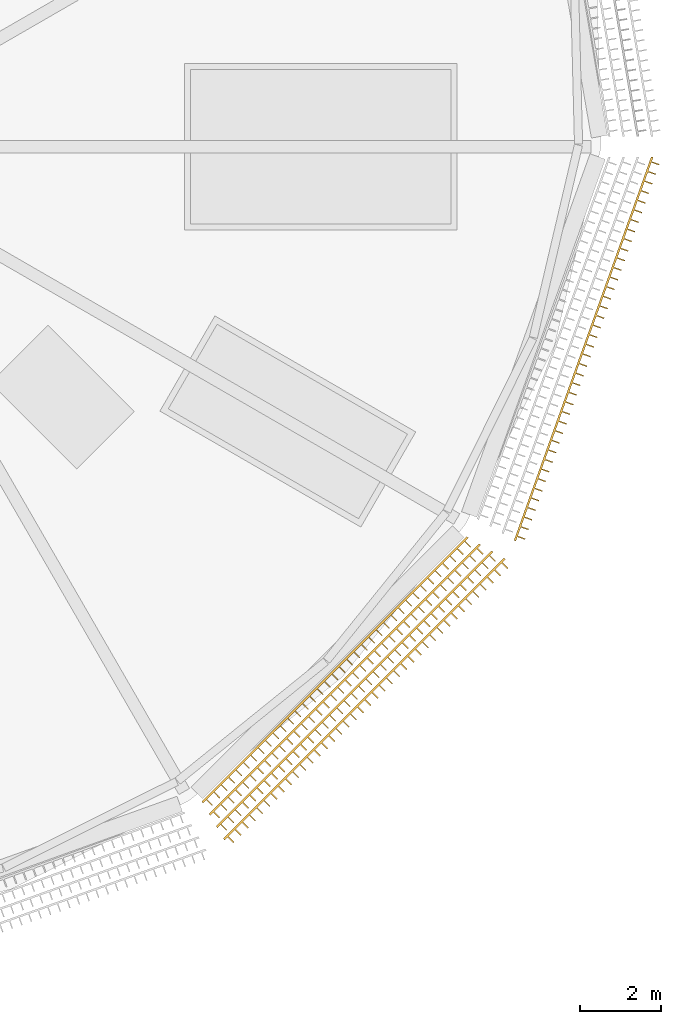
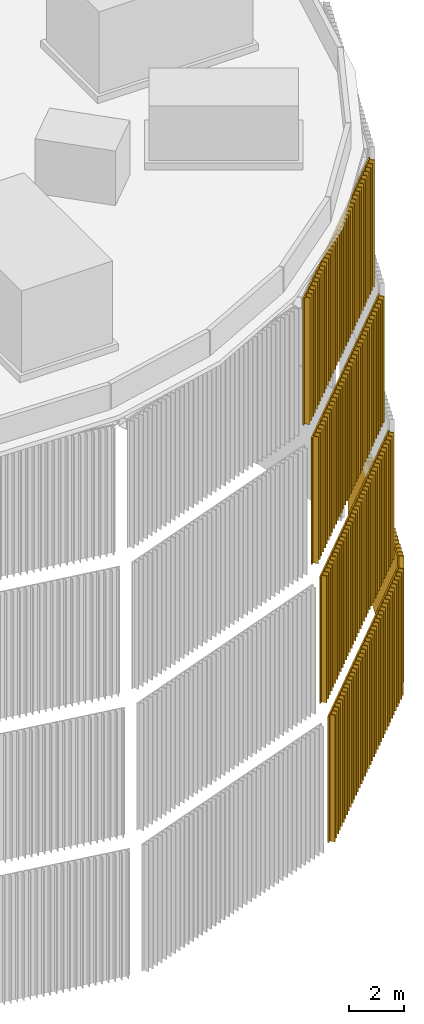
# One storey, part 17 of 24: 5 coverings.
"""IFC4 building model written with IfcOpenShell, lengths in metres."""

from ifc_helpers import new_model, si_unit, direction, frame, origin, place, context, subcontext, project, spatial, polyline, outline, extrude, material, type_object, element, save


model = new_model("IFC4")

# Units and contexts
model_context = context("Model", 3, precision=1e-05, world=origin(), true_north=direction((0.0, 1.0)))
body_context = subcontext(model_context, "Body", "Model", "MODEL_VIEW")
ifc_project = project(units=[si_unit("LENGTHUNIT", "METRE"), si_unit("AREAUNIT", "SQUARE_METRE"), si_unit("VOLUMEUNIT", "CUBIC_METRE"), si_unit("PLANEANGLEUNIT", "RADIAN"), si_unit("MASSUNIT", "GRAM", prefix="KILO")], contexts=[model_context])

# Site, building, storey
site_placement = place(None, origin())
site = spatial("IfcSite", under=ifc_project, at=site_placement, CompositionType="ELEMENT")
building_placement = place(site_placement, origin())
building = spatial("IfcBuilding", under=site, at=building_placement, Name="Rimbun Link Towers", CompositionType="ELEMENT")
storey_placement = place(building_placement, frame((0.0, 0.0, 294.89990234375)))
storey = spatial("IfcBuildingStorey", under=building, at=storey_placement, Name="Roof cap", CompositionType="ELEMENT", Elevation=294.89990234375)

# Coverings
ifc_material = material(Name="Terracotta", Category="masonry")
covering_type = type_object("IfcCoveringType", Name="TERRACOTTA CLADDING screen fins", PredefinedType="CLADDING", material=ifc_material)
covering_1_placement = place(storey_placement, frame((0.0, 0.0, -23.087890625)))
element("IfcCovering", 1, at=covering_1_placement, inside=storey, type_object=covering_type, Name="TERRACOTTA CLADDING screen", PredefinedType="CLADDING", context=body_context, shape_type="SweptSolid", body=[
    extrude(outline(polyline([(41.88134765625, -17.0400390625), (41.959228515625, -16.9619140625), (42.1005859375, -17.103515625), (42.1220703125, -17.082275390625), (41.98046875, -16.94091796875), (42.136474609375, -16.784912109375), (42.27783203125, -16.92626953125), (42.299072265625, -16.905029296875), (42.15771484375, -16.763671875), (42.313720703125, -16.607666015625), (42.455078125, -16.7490234375), (42.476318359375, -16.727783203125), (42.334716796875, -16.58642578125), (42.49072265625, -16.4306640625), (42.632080078125, -16.572021484375), (42.6533203125, -16.55078125), (42.511962890625, -16.409423828125), (42.66796875, -16.25341796875), (42.809326171875, -16.39501953125), (42.83056640625, -16.37353515625), (42.689208984375, -16.232177734375), (42.844970703125, -16.076416015625), (42.986572265625, -16.2177734375), (43.0078125, -16.196533203125), (42.8662109375, -16.05517578125), (43.022216796875, -15.899169921875), (43.16357421875, -16.04052734375), (43.184814453125, -16.019287109375), (43.04345703125, -15.8779296875), (43.19921875, -15.721923828125), (43.3408203125, -15.86328125), (43.362060546875, -15.84228515625), (43.220458984375, -15.70068359375), (43.37646484375, -15.544921875), (43.517822265625, -15.686279296875), (43.5390625, -15.6650390625), (43.397705078125, -15.523681640625), (43.5537109375, -15.36767578125), (43.695068359375, -15.509033203125), (43.71630859375, -15.48779296875), (43.57470703125, -15.346435546875), (43.730712890625, -15.190673828125), (43.872314453125, -15.33203125), (43.893310546875, -15.310791015625), (43.751953125, -15.16943359375), (43.907958984375, -15.013427734375), (44.04931640625, -15.15478515625), (44.070556640625, -15.133544921875), (43.92919921875, -14.9921875), (44.0849609375, -14.836181640625), (44.2265625, -14.977783203125), (44.247802734375, -14.95654296875), (44.106201171875, -14.815185546875), (44.26220703125, -14.6591796875), (44.403564453125, -14.800537109375), (44.4248046875, -14.779296875), (44.283447265625, -14.637939453125), (44.439208984375, -14.48193359375), (44.580810546875, -14.623291015625), (44.60205078125, -14.602294921875), (44.460693359375, -14.460693359375), (44.616455078125, -14.3046875), (44.7578125, -14.4462890625), (44.779052734375, -14.425048828125), (44.6376953125, -14.28369140625), (44.793701171875, -14.127685546875), (44.93505859375, -14.26904296875), (44.956298828125, -14.247802734375), (44.814697265625, -14.1064453125), (44.970703125, -13.95068359375), (45.1123046875, -14.092041015625), (45.13330078125, -14.07080078125), (44.991943359375, -13.92919921875), (45.14794921875, -13.7734375), (45.289306640625, -13.914794921875), (45.310546875, -13.8935546875), (45.169189453125, -13.752197265625), (45.3251953125, -13.59619140625), (45.466552734375, -13.73779296875), (45.48779296875, -13.716552734375), (45.34619140625, -13.5751953125), (45.502197265625, -13.419189453125), (45.6435546875, -13.560546875), (45.664794921875, -13.539306640625), (45.5234375, -13.39794921875), (45.67919921875, -13.241943359375), (45.82080078125, -13.38330078125), (45.842041015625, -13.3623046875), (45.70068359375, -13.220703125), (45.8564453125, -13.064697265625), (45.997802734375, -13.206298828125), (46.01904296875, -13.18505859375), (45.877685546875, -13.043701171875), (46.03369140625, -12.8876953125), (46.175048828125, -13.029052734375), (46.1962890625, -13.0078125), (46.0546875, -12.866455078125), (46.210693359375, -12.710693359375), (46.352294921875, -12.85205078125), (46.373291015625, -12.830810546875), (46.23193359375, -12.689208984375), (46.387939453125, -12.533447265625), (46.529296875, -12.6748046875), (46.550537109375, -12.653564453125), (46.4091796875, -12.51220703125), (46.565185546875, -12.356201171875), (46.70654296875, -12.497802734375), (46.727783203125, -12.4765625), (46.586181640625, -12.3349609375), (46.7421875, -12.17919921875), (46.883544921875, -12.320556640625), (46.90478515625, -12.29931640625), (46.763427734375, -12.157958984375), (46.91943359375, -12.001953125), (47.060791015625, -12.143310546875), (47.08203125, -12.122314453125), (46.940673828125, -11.980712890625), (47.096435546875, -11.82470703125), (47.23779296875, -11.96630859375), (47.259033203125, -11.945068359375), (47.11767578125, -11.8037109375), (47.273681640625, -11.647705078125), (47.4150390625, -11.7890625), (47.436279296875, -11.767822265625), (47.294921875, -11.62646484375), (47.45068359375, -11.470458984375), (47.59228515625, -11.612060546875), (47.61328125, -11.5908203125), (47.471923828125, -11.44921875), (47.6279296875, -11.29345703125), (47.769287109375, -11.434814453125), (47.79052734375, -11.41357421875), (47.649169921875, -11.272216796875), (47.80517578125, -11.1162109375), (47.946533203125, -11.2578125), (47.9677734375, -11.236572265625), (47.826416015625, -11.094970703125), (47.982177734375, -10.939208984375), (48.12353515625, -11.08056640625), (48.14501953125, -11.059326171875), (48.00341796875, -10.91796875), (48.159423828125, -10.761962890625), (48.30078125, -10.9033203125), (48.322021484375, -10.882080078125), (48.1806640625, -10.74072265625), (48.33642578125, -10.584716796875), (48.477783203125, -10.726318359375), (48.4990234375, -10.705078125), (48.357666015625, -10.563720703125), (48.513671875, -10.40771484375), (48.655029296875, -10.549072265625), (48.67626953125, -10.52783203125), (48.534912109375, -10.386474609375), (48.69091796875, -10.23046875), (48.832275390625, -10.3720703125), (48.853515625, -10.3505859375), (48.7119140625, -10.209228515625), (48.7900390625, -10.13134765625), (48.7451171875, -10.10546875), (41.85546875, -16.9951171875), (41.88134765625, -17.0400390625)])), origin(), (0.0, 0.0, 1.0), 5.575927734375),
])
covering_2_placement = place(storey_placement, frame((0.0, 0.0, -23.087890625)))
element("IfcCovering", 2, at=covering_2_placement, inside=storey, type_object=covering_type, Name="TERRACOTTA CLADDING screen", PredefinedType="CLADDING", context=body_context, shape_type="SweptSolid", body=[
    extrude(outline(polyline([(49.043212890625, -9.69091796875), (49.080322265625, -9.587158203125), (49.2685546875, -9.654541015625), (49.27880859375, -9.626220703125), (49.09033203125, -9.558837890625), (49.164794921875, -9.351318359375), (49.35302734375, -9.41845703125), (49.363037109375, -9.390380859375), (49.1748046875, -9.322998046875), (49.2490234375, -9.115234375), (49.4375, -9.1826171875), (49.447509765625, -9.154296875), (49.25927734375, -9.0869140625), (49.33349609375, -8.87939453125), (49.521728515625, -8.94677734375), (49.531982421875, -8.91845703125), (49.343505859375, -8.85107421875), (49.417724609375, -8.643310546875), (49.606201171875, -8.710693359375), (49.6162109375, -8.6826171875), (49.427978515625, -8.615234375), (49.502197265625, -8.407470703125), (49.690673828125, -8.474853515625), (49.70068359375, -8.446533203125), (49.51220703125, -8.379150390625), (49.586669921875, -8.171630859375), (49.77490234375, -8.239013671875), (49.784912109375, -8.210693359375), (49.5966796875, -8.143310546875), (49.6708984375, -7.935546875), (49.859375, -8.0029296875), (49.869384765625, -7.974609375), (49.68115234375, -7.907470703125), (49.75537109375, -7.69970703125), (49.943603515625, -7.76708984375), (49.953857421875, -7.73876953125), (49.765380859375, -7.67138671875), (49.83984375, -7.4638671875), (50.028076171875, -7.531005859375), (50.0380859375, -7.5029296875), (49.849853515625, -7.435546875), (49.92431640625, -7.227783203125), (50.112548828125, -7.295166015625), (50.12255859375, -7.26708984375), (49.934326171875, -7.19970703125), (50.008544921875, -6.991943359375), (50.197021484375, -7.059326171875), (50.20703125, -7.031005859375), (50.018798828125, -6.963623046875), (50.093017578125, -6.756103515625), (50.28125, -6.823486328125), (50.29150390625, -6.795166015625), (50.10302734375, -6.727783203125), (50.17724609375, -6.52001953125), (50.365478515625, -6.58740234375), (50.375732421875, -6.55908203125), (50.1875, -6.49169921875), (50.26171875, -6.2841796875), (50.449951171875, -6.3515625), (50.460205078125, -6.3232421875), (50.271728515625, -6.255859375), (50.34619140625, -6.048095703125), (50.534423828125, -6.115478515625), (50.54443359375, -6.08740234375), (50.356201171875, -6.02001953125), (50.430419921875, -5.812255859375), (50.618896484375, -5.879638671875), (50.62890625, -5.851318359375), (50.440673828125, -5.7841796875), (50.514892578125, -5.576416015625), (50.703125, -5.643798828125), (50.71337890625, -5.615478515625), (50.52490234375, -5.548095703125), (50.599365234375, -5.340576171875), (50.78759765625, -5.40771484375), (50.797607421875, -5.379638671875), (50.609375, -5.312255859375), (50.68359375, -5.1044921875), (50.8720703125, -5.171875), (50.882080078125, -5.143798828125), (50.693603515625, -5.076416015625), (50.76806640625, -4.86865234375), (50.956298828125, -4.93603515625), (50.96630859375, -4.90771484375), (50.778076171875, -4.84033203125), (50.852294921875, -4.6328125), (51.040771484375, -4.7001953125), (51.05078125, -4.671875), (50.862548828125, -4.6044921875), (50.936767578125, -4.396728515625), (51.125, -4.464111328125), (51.13525390625, -4.435791015625), (50.947021484375, -4.368408203125), (51.021240234375, -4.160888671875), (51.20947265625, -4.228271484375), (51.219482421875, -4.199951171875), (51.03125, -4.132568359375), (51.105712890625, -3.9248046875), (51.2939453125, -3.9921875), (51.303955078125, -3.964111328125), (51.11572265625, -3.896728515625), (51.18994140625, -3.68896484375), (51.37841796875, -3.75634765625), (51.388427734375, -3.72802734375), (51.2001953125, -3.660888671875), (51.2744140625, -3.453125), (51.462646484375, -3.5205078125), (51.472900390625, -3.4921875), (51.284423828125, -3.4248046875), (51.358642578125, -3.21728515625), (51.547119140625, -3.284423828125), (51.55712890625, -3.25634765625), (51.368896484375, -3.18896484375), (51.443115234375, -2.981201171875), (51.63134765625, -3.048583984375), (51.6416015625, -3.0205078125), (51.453125, -2.952880859375), (51.527587890625, -2.745361328125), (51.7158203125, -2.812744140625), (51.725830078125, -2.784423828125), (51.53759765625, -2.717041015625), (51.61181640625, -2.509521484375), (51.80029296875, -2.576904296875), (51.810302734375, -2.548583984375), (51.6220703125, -2.481201171875), (51.6962890625, -2.2734375), (51.884521484375, -2.3408203125), (51.894775390625, -2.3125), (51.706298828125, -2.2451171875), (51.78076171875, -2.03759765625), (51.968994140625, -2.10498046875), (51.97900390625, -2.07666015625), (51.790771484375, -2.00927734375), (51.864990234375, -1.801513671875), (52.053466796875, -1.868896484375), (52.0634765625, -1.8408203125), (51.875, -1.7734375), (51.949462890625, -1.565673828125), (52.1376953125, -1.633056640625), (52.147705078125, -1.604736328125), (51.95947265625, -1.53759765625), (52.03369140625, -1.329833984375), (52.22216796875, -1.397216796875), (52.232177734375, -1.368896484375), (52.0439453125, -1.301513671875), (52.1181640625, -1.093994140625), (52.306396484375, -1.1611328125), (52.316650390625, -1.133056640625), (52.12841796875, -1.065673828125), (52.20263671875, -0.85791015625), (52.390869140625, -0.92529296875), (52.40087890625, -0.89697265625), (52.212646484375, -0.82958984375), (52.287109375, -0.6220703125), (52.475341796875, -0.689453125), (52.4853515625, -0.6611328125), (52.297119140625, -0.59375), (52.371337890625, -0.385986328125), (52.559814453125, -0.453369140625), (52.56982421875, -0.42529296875), (52.381591796875, -0.35791015625), (52.418701171875, -0.25390625), (52.365478515625, -0.25390625), (48.999267578125, -9.66552734375), (49.043212890625, -9.69091796875)])), origin(), (0.0, 0.0, 1.0), 5.575927734375),
])
covering_3_placement = place(storey_placement, frame((0.0, 0.0, -17.087890625)))
element("IfcCovering", 3, at=covering_3_placement, inside=storey, type_object=covering_type, Name="TERRACOTTA CLADDING screen", PredefinedType="CLADDING", context=body_context, shape_type="SweptSolid", body=[
    extrude(outline(polyline([(41.706298828125, -16.73681640625), (41.784912109375, -16.658203125), (41.926513671875, -16.7998046875), (41.947509765625, -16.778564453125), (41.80615234375, -16.63720703125), (41.96337890625, -16.479736328125), (42.104736328125, -16.621337890625), (42.1259765625, -16.60009765625), (41.984619140625, -16.45849609375), (42.141845703125, -16.301513671875), (42.283203125, -16.44287109375), (42.304443359375, -16.421630859375), (42.1630859375, -16.2802734375), (42.3203125, -16.123046875), (42.461669921875, -16.264404296875), (42.48291015625, -16.2431640625), (42.341552734375, -16.101806640625), (42.498779296875, -15.944580078125), (42.64013671875, -16.0859375), (42.661376953125, -16.064697265625), (42.52001953125, -15.92333984375), (42.677001953125, -15.76611328125), (42.818603515625, -15.907470703125), (42.83984375, -15.88623046875), (42.698486328125, -15.744873046875), (42.855712890625, -15.587646484375), (42.9970703125, -15.72900390625), (43.018310546875, -15.7080078125), (42.876708984375, -15.56640625), (43.033935546875, -15.4091796875), (43.17529296875, -15.550537109375), (43.196533203125, -15.529296875), (43.05517578125, -15.387939453125), (43.21240234375, -15.230712890625), (43.35400390625, -15.372314453125), (43.375, -15.35107421875), (43.233642578125, -15.209716796875), (43.390869140625, -15.052490234375), (43.5322265625, -15.19384765625), (43.553466796875, -15.172607421875), (43.412109375, -15.031005859375), (43.5693359375, -14.873779296875), (43.710693359375, -15.015380859375), (43.73193359375, -14.994140625), (43.590576171875, -14.852783203125), (43.747802734375, -14.695556640625), (43.88916015625, -14.8369140625), (43.910400390625, -14.815673828125), (43.76904296875, -14.67431640625), (43.92626953125, -14.51708984375), (44.067626953125, -14.658447265625), (44.0888671875, -14.63720703125), (43.947509765625, -14.495849609375), (44.1044921875, -14.338623046875), (44.24609375, -14.47998046875), (44.267333984375, -14.458740234375), (44.125732421875, -14.3173828125), (44.283203125, -14.16015625), (44.424560546875, -14.301513671875), (44.44580078125, -14.280517578125), (44.30419921875, -14.138916015625), (44.46142578125, -13.981689453125), (44.602783203125, -14.123291015625), (44.6240234375, -14.10205078125), (44.482666015625, -13.96044921875), (44.639892578125, -13.80322265625), (44.78125, -13.944580078125), (44.802490234375, -13.923583984375), (44.6611328125, -13.781982421875), (44.818359375, -13.625), (44.959716796875, -13.766357421875), (44.98095703125, -13.7451171875), (44.839599609375, -13.603759765625), (44.996826171875, -13.4462890625), (45.13818359375, -13.587890625), (45.159423828125, -13.566650390625), (45.01806640625, -13.42529296875), (45.17529296875, -13.26806640625), (45.316650390625, -13.409423828125), (45.337890625, -13.38818359375), (45.1962890625, -13.246826171875), (45.353759765625, -13.089599609375), (45.4951171875, -13.23095703125), (45.516357421875, -13.209716796875), (45.375, -13.068359375), (45.531982421875, -12.9111328125), (45.673583984375, -13.052490234375), (45.694580078125, -13.03125), (45.55322265625, -12.889892578125), (45.71044921875, -12.732666015625), (45.85205078125, -12.8740234375), (45.873291015625, -12.852783203125), (45.731689453125, -12.71142578125), (45.888916015625, -12.55419921875), (46.030517578125, -12.69580078125), (46.051513671875, -12.674560546875), (45.91015625, -12.533203125), (46.0673828125, -12.375732421875), (46.208740234375, -12.517333984375), (46.22998046875, -12.49609375), (46.088623046875, -12.3544921875), (46.245849609375, -12.197509765625), (46.38720703125, -12.3388671875), (46.408447265625, -12.317626953125), (46.26708984375, -12.17626953125), (46.42431640625, -12.01904296875), (46.565673828125, -12.160400390625), (46.5869140625, -12.13916015625), (46.445556640625, -11.997802734375), (46.602783203125, -11.840576171875), (46.744140625, -11.98193359375), (46.765380859375, -11.960693359375), (46.623779296875, -11.8193359375), (46.781005859375, -11.662109375), (46.922607421875, -11.803466796875), (46.94384765625, -11.7822265625), (46.802490234375, -11.640869140625), (46.959716796875, -11.483642578125), (47.10107421875, -11.625), (47.122314453125, -11.60400390625), (46.980712890625, -11.46240234375), (47.137939453125, -11.30517578125), (47.279296875, -11.446533203125), (47.300537109375, -11.42529296875), (47.1591796875, -11.283935546875), (47.31640625, -11.126708984375), (47.4580078125, -11.268310546875), (47.47900390625, -11.2470703125), (47.337646484375, -11.105712890625), (47.494873046875, -10.948486328125), (47.63623046875, -11.08984375), (47.657470703125, -11.068603515625), (47.51611328125, -10.927001953125), (47.67333984375, -10.77001953125), (47.814697265625, -10.911376953125), (47.8359375, -10.89013671875), (47.694580078125, -10.748779296875), (47.851806640625, -10.591552734375), (47.9931640625, -10.73291015625), (48.014404296875, -10.711669921875), (47.873046875, -10.5703125), (48.0302734375, -10.4130859375), (48.171630859375, -10.554443359375), (48.19287109375, -10.533203125), (48.051513671875, -10.391845703125), (48.20849609375, -10.234619140625), (48.35009765625, -10.3759765625), (48.371337890625, -10.354736328125), (48.229736328125, -10.21337890625), (48.38720703125, -10.05615234375), (48.528564453125, -10.197509765625), (48.5498046875, -10.176513671875), (48.408203125, -10.034912109375), (48.48681640625, -9.956298828125), (48.44189453125, -9.930419921875), (41.680419921875, -16.69189453125), (41.706298828125, -16.73681640625)])), origin(), (0.0, 0.0, 1.0), 5.575927734375),
])
covering_4_placement = place(storey_placement, frame((0.0, 0.0, -11.087890625)))
element("IfcCovering", 4, at=covering_4_placement, inside=storey, type_object=covering_type, Name="TERRACOTTA CLADDING screen", PredefinedType="CLADDING", context=body_context, shape_type="SweptSolid", body=[
    extrude(outline(polyline([(41.531494140625, -16.433837890625), (41.610595703125, -16.3544921875), (41.752197265625, -16.495849609375), (41.773193359375, -16.474609375), (41.6318359375, -16.333251953125), (41.790283203125, -16.1748046875), (41.931884765625, -16.316162109375), (41.953125, -16.294921875), (41.811767578125, -16.153564453125), (41.97021484375, -15.994873046875), (42.11181640625, -16.13623046875), (42.1328125, -16.114990234375), (41.991455078125, -15.9736328125), (42.14990234375, -15.815185546875), (42.29150390625, -15.95654296875), (42.312744140625, -15.935302734375), (42.171142578125, -15.7939453125), (42.329833984375, -15.63525390625), (42.47119140625, -15.776611328125), (42.492431640625, -15.755615234375), (42.35107421875, -15.614013671875), (42.509521484375, -15.45556640625), (42.65087890625, -15.596923828125), (42.67236328125, -15.57568359375), (42.53076171875, -15.434326171875), (42.689453125, -15.275634765625), (42.830810546875, -15.4169921875), (42.85205078125, -15.39599609375), (42.710693359375, -15.25439453125), (42.869140625, -15.095947265625), (43.010498046875, -15.2373046875), (43.03173828125, -15.216064453125), (42.890380859375, -15.07470703125), (43.049072265625, -14.916015625), (43.1904296875, -15.0576171875), (43.211669921875, -15.036376953125), (43.0703125, -14.89501953125), (43.228759765625, -14.736328125), (43.3701171875, -14.877685546875), (43.391357421875, -14.8564453125), (43.25, -14.715087890625), (43.40869140625, -14.556396484375), (43.550048828125, -14.697998046875), (43.5712890625, -14.6767578125), (43.4296875, -14.535400390625), (43.58837890625, -14.376708984375), (43.729736328125, -14.518310546875), (43.7509765625, -14.496826171875), (43.609619140625, -14.35546875), (43.768310546875, -14.197021484375), (43.90966796875, -14.33837890625), (43.930908203125, -14.317138671875), (43.789306640625, -14.17578125), (43.947998046875, -14.01708984375), (44.08935546875, -14.15869140625), (44.110595703125, -14.137451171875), (43.96923828125, -13.995849609375), (44.127685546875, -13.83740234375), (44.269287109375, -13.978759765625), (44.290283203125, -13.95751953125), (44.14892578125, -13.816162109375), (44.3076171875, -13.65771484375), (44.448974609375, -13.799072265625), (44.47021484375, -13.77783203125), (44.328857421875, -13.63623046875), (44.4873046875, -13.477783203125), (44.62890625, -13.619140625), (44.64990234375, -13.597900390625), (44.508544921875, -13.45654296875), (44.667236328125, -13.298095703125), (44.80859375, -13.439453125), (44.829833984375, -13.418212890625), (44.6884765625, -13.27685546875), (44.846923828125, -13.1181640625), (44.98828125, -13.259521484375), (45.009521484375, -13.23828125), (44.8681640625, -13.096923828125), (45.02685546875, -12.9384765625), (45.168212890625, -13.079833984375), (45.189453125, -13.05859375), (45.048095703125, -12.917236328125), (45.20654296875, -12.758544921875), (45.347900390625, -12.89990234375), (45.369140625, -12.87890625), (45.227783203125, -12.7373046875), (45.38623046875, -12.578857421875), (45.52783203125, -12.72021484375), (45.549072265625, -12.698974609375), (45.40771484375, -12.5576171875), (45.566162109375, -12.39892578125), (45.70751953125, -12.540283203125), (45.728759765625, -12.519287109375), (45.58740234375, -12.377685546875), (45.745849609375, -12.21923828125), (45.887451171875, -12.360595703125), (45.90869140625, -12.33935546875), (45.76708984375, -12.197998046875), (45.92578125, -12.039306640625), (46.067138671875, -12.180908203125), (46.08837890625, -12.15966796875), (45.947021484375, -12.018310546875), (46.10546875, -11.859619140625), (46.246826171875, -12.0009765625), (46.268310546875, -11.979736328125), (46.126708984375, -11.83837890625), (46.285400390625, -11.6796875), (46.4267578125, -11.8212890625), (46.447998046875, -11.800048828125), (46.306396484375, -11.65869140625), (46.465087890625, -11.5), (46.6064453125, -11.641357421875), (46.627685546875, -11.6201171875), (46.486328125, -11.478759765625), (46.64501953125, -11.3203125), (46.786376953125, -11.461669921875), (46.8076171875, -11.4404296875), (46.666015625, -11.299072265625), (46.82470703125, -11.140380859375), (46.966064453125, -11.28173828125), (46.9873046875, -11.260498046875), (46.845947265625, -11.119140625), (47.00439453125, -10.960693359375), (47.14599609375, -11.10205078125), (47.1669921875, -11.080810546875), (47.025634765625, -10.939453125), (47.184326171875, -10.78076171875), (47.32568359375, -10.92236328125), (47.346923828125, -10.90087890625), (47.20556640625, -10.759521484375), (47.364013671875, -10.60107421875), (47.505615234375, -10.742431640625), (47.526611328125, -10.72119140625), (47.38525390625, -10.579833984375), (47.5439453125, -10.421142578125), (47.685302734375, -10.562744140625), (47.70654296875, -10.54150390625), (47.565185546875, -10.39990234375), (47.7236328125, -10.241455078125), (47.864990234375, -10.3828125), (47.88623046875, -10.36181640625), (47.744873046875, -10.22021484375), (47.903564453125, -10.061767578125), (48.044921875, -10.203125), (48.066162109375, -10.181884765625), (47.9248046875, -10.040283203125), (48.083251953125, -9.8818359375), (48.224609375, -10.023193359375), (48.245849609375, -10.002197265625), (48.1044921875, -9.860595703125), (48.183837890625, -9.781494140625), (48.138916015625, -9.755615234375), (41.505615234375, -16.388916015625), (41.531494140625, -16.433837890625)])), origin(), (0.0, 0.0, 1.0), 5.575927734375),
])
covering_5_placement = place(storey_placement, frame((0.0, 0.0, -5.087890625)))
element("IfcCovering", 5, at=covering_5_placement, inside=storey, type_object=covering_type, Name="TERRACOTTA CLADDING screen", PredefinedType="CLADDING", context=body_context, shape_type="SweptSolid", body=[
    extrude(outline(polyline([(41.3564453125, -16.130615234375), (41.436279296875, -16.05078125), (41.577880859375, -16.192138671875), (41.59912109375, -16.1708984375), (41.45751953125, -16.029541015625), (41.61767578125, -15.869384765625), (41.759033203125, -16.010986328125), (41.7802734375, -15.989501953125), (41.638916015625, -15.84814453125), (41.798828125, -15.688232421875), (41.940185546875, -15.82958984375), (41.96142578125, -15.808349609375), (41.820068359375, -15.6669921875), (41.97998046875, -15.507080078125), (42.12158203125, -15.6484375), (42.142578125, -15.627197265625), (42.001220703125, -15.48583984375), (42.161376953125, -15.32568359375), (42.302734375, -15.46728515625), (42.323974609375, -15.446044921875), (42.1826171875, -15.304443359375), (42.342529296875, -15.14453125), (42.48388671875, -15.285888671875), (42.505126953125, -15.2646484375), (42.36376953125, -15.123291015625), (42.523681640625, -14.96337890625), (42.665283203125, -15.104736328125), (42.686279296875, -15.08349609375), (42.544921875, -14.942138671875), (42.705078125, -14.781982421875), (42.846435546875, -14.923583984375), (42.86767578125, -14.90234375), (42.726318359375, -14.7607421875), (42.88623046875, -14.600830078125), (43.027587890625, -14.7421875), (43.048828125, -14.720947265625), (42.907470703125, -14.57958984375), (43.0673828125, -14.419677734375), (43.208984375, -14.56103515625), (43.22998046875, -14.539794921875), (43.088623046875, -14.3984375), (43.248779296875, -14.23828125), (43.39013671875, -14.3798828125), (43.411376953125, -14.358642578125), (43.27001953125, -14.217041015625), (43.429931640625, -14.05712890625), (43.5712890625, -14.198486328125), (43.592529296875, -14.17724609375), (43.451171875, -14.035888671875), (43.611083984375, -13.8759765625), (43.752685546875, -14.017333984375), (43.773681640625, -13.99609375), (43.63232421875, -13.854736328125), (43.79248046875, -13.694580078125), (43.933837890625, -13.836181640625), (43.955078125, -13.81494140625), (43.813720703125, -13.67333984375), (43.9736328125, -13.513427734375), (44.114990234375, -13.65478515625), (44.13623046875, -13.633544921875), (43.994873046875, -13.4921875), (44.15478515625, -13.332275390625), (44.29638671875, -13.4736328125), (44.3173828125, -13.452392578125), (44.176025390625, -13.31103515625), (44.336181640625, -13.15087890625), (44.4775390625, -13.29248046875), (44.498779296875, -13.271240234375), (44.357421875, -13.1298828125), (44.517333984375, -12.9697265625), (44.65869140625, -13.111083984375), (44.679931640625, -13.08984375), (44.53857421875, -12.948486328125), (44.698486328125, -12.78857421875), (44.83984375, -12.929931640625), (44.861083984375, -12.90869140625), (44.7197265625, -12.767333984375), (44.8798828125, -12.607421875), (45.021240234375, -12.748779296875), (45.04248046875, -12.7275390625), (44.90087890625, -12.586181640625), (45.06103515625, -12.426025390625), (45.202392578125, -12.5673828125), (45.2236328125, -12.54638671875), (45.082275390625, -12.40478515625), (45.2421875, -12.244873046875), (45.383544921875, -12.38623046875), (45.40478515625, -12.364990234375), (45.263427734375, -12.2236328125), (45.42333984375, -12.063720703125), (45.56494140625, -12.205078125), (45.586181640625, -12.183837890625), (45.444580078125, -12.04248046875), (45.604736328125, -11.88232421875), (45.74609375, -12.023681640625), (45.767333984375, -12.002685546875), (45.6259765625, -11.861083984375), (45.785888671875, -11.701171875), (45.92724609375, -11.842529296875), (45.948486328125, -11.8212890625), (45.80712890625, -11.679931640625), (45.967041015625, -11.52001953125), (46.108642578125, -11.661376953125), (46.1298828125, -11.64013671875), (45.98828125, -11.498779296875), (46.1484375, -11.338623046875), (46.289794921875, -11.47998046875), (46.31103515625, -11.458984375), (46.169677734375, -11.3173828125), (46.32958984375, -11.157470703125), (46.470947265625, -11.298828125), (46.4921875, -11.277587890625), (46.350830078125, -11.13623046875), (46.5107421875, -10.976318359375), (46.65234375, -11.11767578125), (46.673583984375, -11.096435546875), (46.531982421875, -10.955078125), (46.692138671875, -10.794921875), (46.83349609375, -10.936279296875), (46.854736328125, -10.915283203125), (46.71337890625, -10.773681640625), (46.873291015625, -10.61376953125), (47.0146484375, -10.755126953125), (47.035888671875, -10.73388671875), (46.89453125, -10.592529296875), (47.054443359375, -10.4326171875), (47.196044921875, -10.573974609375), (47.21728515625, -10.552734375), (47.07568359375, -10.411376953125), (47.23583984375, -10.251220703125), (47.377197265625, -10.392578125), (47.3984375, -10.37158203125), (47.257080078125, -10.22998046875), (47.4169921875, -10.070068359375), (47.558349609375, -10.21142578125), (47.57958984375, -10.190185546875), (47.438232421875, -10.048828125), (47.59814453125, -9.888916015625), (47.739501953125, -10.0302734375), (47.760986328125, -10.009033203125), (47.619384765625, -9.86767578125), (47.779541015625, -9.70751953125), (47.9208984375, -9.84912109375), (47.942138671875, -9.827880859375), (47.80078125, -9.686279296875), (47.880615234375, -9.6064453125), (47.835693359375, -9.58056640625), (41.33056640625, -16.085693359375), (41.3564453125, -16.130615234375)])), origin(), (0.0, 0.0, 1.0), 5.575927734375),
])

save(model, "model.ifc")
